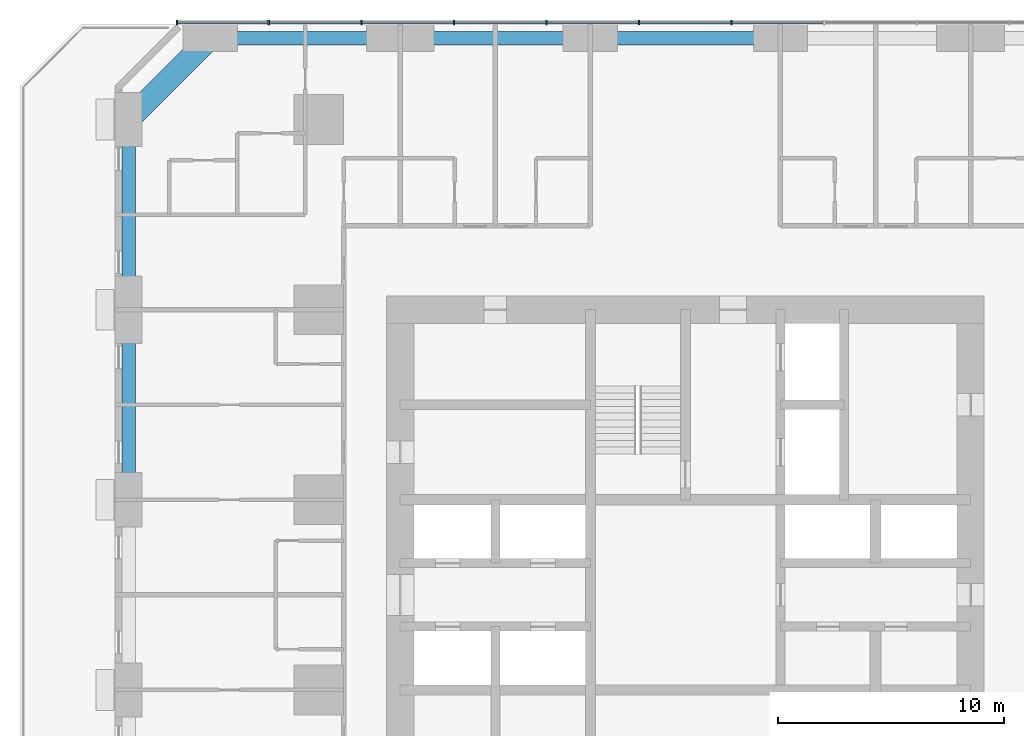
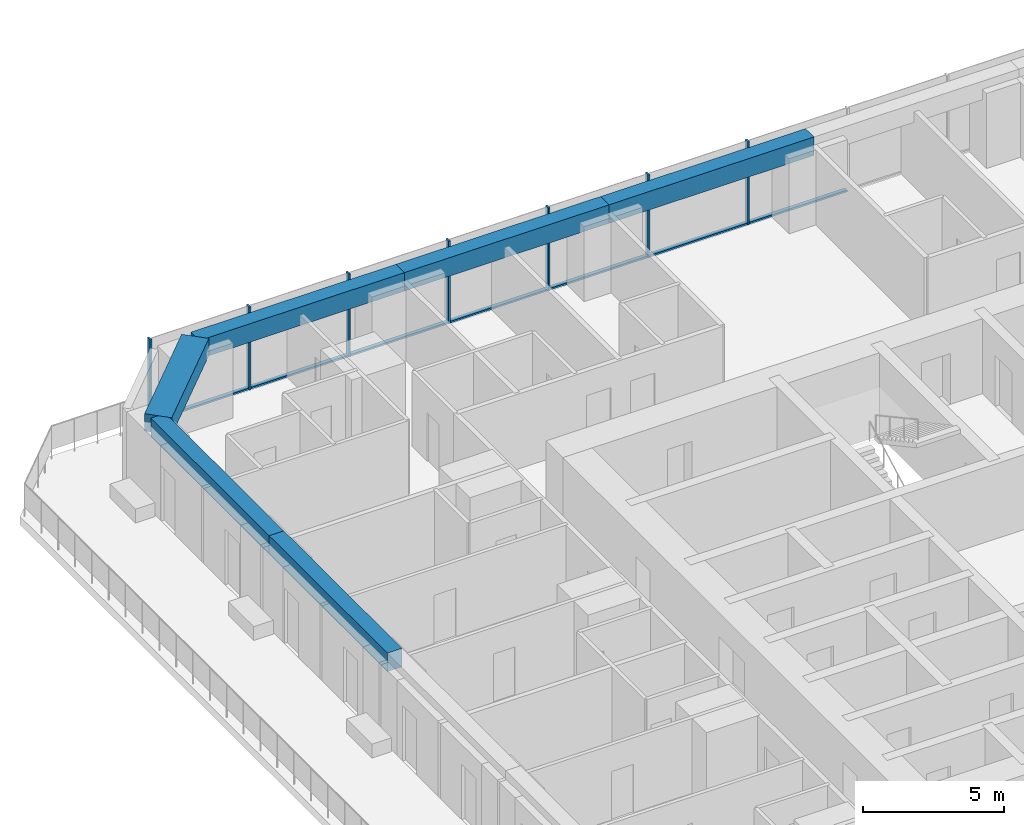
# One storey, part 3 of 14: 14 members, 6 beams, 1 element without a shape of its own.
"""IFC4 building model written with IfcOpenShell, lengths in metres."""

from ifc_helpers import new_model, si_unit, direction, frame, origin, origin_2d, place, context, subcontext, project, spatial, rectangle, extrude, material, material_profile, profile_set, type_object, element, aggregate, save


model = new_model("IFC4")

# Units and contexts
model_context = context("Model", 3, precision=1e-05, world=origin(), true_north=direction((0.0, 1.0)))
body_context = subcontext(model_context, "Body", "Model", "MODEL_VIEW")
ifc_project = project(units=[si_unit("LENGTHUNIT", "METRE"), si_unit("AREAUNIT", "SQUARE_METRE"), si_unit("VOLUMEUNIT", "CUBIC_METRE"), si_unit("PLANEANGLEUNIT", "RADIAN"), si_unit("MASSUNIT", "GRAM", prefix="KILO")], contexts=[model_context])

# Site, building, storey
site_placement = place(None, origin())
site = spatial("IfcSite", under=ifc_project, at=site_placement, CompositionType="ELEMENT")
building_placement = place(site_placement, origin())
building = spatial("IfcBuilding", under=site, at=building_placement, Name="Dunama Terrace Hotel", CompositionType="ELEMENT")
storey_placement = place(building_placement, frame((0.0, 0.0, 159.0)))
storey = spatial("IfcBuildingStorey", under=building, at=storey_placement, Name="L40", CompositionType="ELEMENT", Elevation=159.0)

# Curtain wall, members
ifc_material_1 = material(Name="Aluminium curtain wall system", Category="aluminium")
curtain_wall_type = type_object("IfcCurtainWallType", Name="Unitised fritted glass wall CW-C", PredefinedType="NOTDEFINED", material=ifc_material_1)
curtain_wall_placement = place(storey_placement, origin())
curtain_wall = element("IfcCurtainWall", 1, at=curtain_wall_placement, inside=storey, type_object=curtain_wall_type, Name="Unitised fritted glass wall CW-C L40", PredefinedType="NOTDEFINED")
ifc_material_2 = material(Name="Aluminium mullion", Category="aluminium")
ifc_material_profile_1 = material_profile(ifc_material_2, rectangle(XDim=0.070068359375, YDim=0.199951171875, at=origin_2d()), Name="CWC MULLION 70X200")
ifc_profile_set_1 = profile_set([ifc_material_profile_1], Name="Aluminium mullion")
member_type_1 = type_object("IfcMemberType", Name="CWC mullion 70x200", PredefinedType="MULLION", material=ifc_profile_set_1)
member_1_placement = place(storey_placement, frame((31.445068359375, 54.699951171875, 0.0), z_axis=(0.0, 0.0, 1.0), x_axis=(-1.0, 0.0, 0.0)))
member_1 = element("IfcMember", 2, at=member_1_placement, type_object=member_type_1, Name="CWC mullion", PredefinedType="MULLION", context=body_context, shape_type="SweptSolid", body=[
    extrude(rectangle(XDim=0.070068359375, YDim=0.199951171875, at=origin_2d()), origin(), (0.0, 0.0, 1.0), 3.60009765625),
])
member_2_placement = place(storey_placement, frame((27.35498046875, 54.699951171875, 0.0), z_axis=(0.0, 0.0, 1.0), x_axis=(-1.0, 0.0, 0.0)))
member_2 = element("IfcMember", 3, at=member_2_placement, type_object=member_type_1, Name="CWC mullion", PredefinedType="MULLION", context=body_context, shape_type="SweptSolid", body=[
    extrude(rectangle(XDim=0.070068359375, YDim=0.199951171875, at=origin_2d()), origin(), (0.0, 0.0, 1.0), 3.60009765625),
])
member_3_placement = place(storey_placement, frame((23.263916015625, 54.699951171875, 0.0), z_axis=(0.0, 0.0, 1.0), x_axis=(-1.0, 0.0, 0.0)))
member_3 = element("IfcMember", 4, at=member_3_placement, type_object=member_type_1, Name="CWC mullion", PredefinedType="MULLION", context=body_context, shape_type="SweptSolid", body=[
    extrude(rectangle(XDim=0.070068359375, YDim=0.199951171875, at=origin_2d()), origin(), (0.0, 0.0, 1.0), 3.60009765625),
])
member_4_placement = place(storey_placement, frame((19.173095703125, 54.699951171875, 0.0), z_axis=(0.0, 0.0, 1.0), x_axis=(-1.0, 0.0, 0.0)))
member_4 = element("IfcMember", 5, at=member_4_placement, type_object=member_type_1, Name="CWC mullion", PredefinedType="MULLION", context=body_context, shape_type="SweptSolid", body=[
    extrude(rectangle(XDim=0.070068359375, YDim=0.199951171875, at=origin_2d()), origin(), (0.0, 0.0, 1.0), 3.60009765625),
])
member_5_placement = place(storey_placement, frame((15.08203125, 54.699951171875, 0.0), z_axis=(0.0, 0.0, 1.0), x_axis=(-1.0, 0.0, 0.0)))
member_5 = element("IfcMember", 6, at=member_5_placement, type_object=member_type_1, Name="CWC mullion", PredefinedType="MULLION", context=body_context, shape_type="SweptSolid", body=[
    extrude(rectangle(XDim=0.070068359375, YDim=0.199951171875, at=origin_2d()), origin(), (0.0, 0.0, 1.0), 3.60009765625),
])
member_6_placement = place(storey_placement, frame((10.990966796875, 54.699951171875, 0.0), z_axis=(0.0, 0.0, 1.0), x_axis=(-1.0, 0.0, 0.0)))
member_6 = element("IfcMember", 7, at=member_6_placement, type_object=member_type_1, Name="CWC mullion", PredefinedType="MULLION", context=body_context, shape_type="SweptSolid", body=[
    extrude(rectangle(XDim=0.070068359375, YDim=0.199951171875, at=origin_2d()), origin(), (0.0, 0.0, 1.0), 3.60009765625),
])
member_7_placement = place(storey_placement, frame((6.93505859375, 54.699951171875, 0.0), z_axis=(0.0, 0.0, 1.0), x_axis=(-1.0, 0.0, 0.0)))
member_7 = element("IfcMember", 8, at=member_7_placement, type_object=member_type_1, Name="CWC mullion", PredefinedType="MULLION", context=body_context, shape_type="SweptSolid", body=[
    extrude(rectangle(XDim=0.070068359375, YDim=0.199951171875, at=origin_2d()), origin(), (0.0, 0.0, 1.0), 3.60009765625),
])
ifc_material_3 = material(Name="Aluminium transom", Category="aluminium")
ifc_material_profile_2 = material_profile(ifc_material_3, rectangle(XDim=0.159912109375, YDim=0.080078125, at=origin_2d()), Name="CWC TRANSOM 160X80")
ifc_profile_set_2 = profile_set([ifc_material_profile_2], Name="Aluminium transom")
member_type_2 = type_object("IfcMemberType", Name="CWC transom 160x80", PredefinedType="USERDEFINED", material=ifc_profile_set_2)
member_8_placement = place(storey_placement, frame((35.5009765625, 54.699951171875, 0.0400390625), z_axis=(-1.0, 0.0, 0.0), x_axis=(0.0, -1.0, 0.0)))
member_8 = element("IfcMember", 9, at=member_8_placement, type_object=member_type_2, Name="CWC transom", ObjectType="TRANSOM", PredefinedType="USERDEFINED", context=body_context, shape_type="SweptSolid", body=[
    extrude(rectangle(XDim=0.159912109375, YDim=0.080078125, at=origin_2d()), origin(), (0.0, 0.0, 1.0), 4.02099609375),
])
member_9_placement = place(storey_placement, frame((31.409912109375, 54.699951171875, 0.0400390625), z_axis=(-1.0, 0.0, 0.0), x_axis=(0.0, -1.0, 0.0)))
member_9 = element("IfcMember", 10, at=member_9_placement, type_object=member_type_2, Name="CWC transom", ObjectType="TRANSOM", PredefinedType="USERDEFINED", context=body_context, shape_type="SweptSolid", body=[
    extrude(rectangle(XDim=0.159912109375, YDim=0.080078125, at=origin_2d()), origin(), (0.0, 0.0, 1.0), 4.02001953125),
])
member_10_placement = place(storey_placement, frame((27.320068359375, 54.699951171875, 0.0400390625), z_axis=(-1.0, 0.0, 0.0), x_axis=(0.0, -1.0, 0.0)))
member_10 = element("IfcMember", 11, at=member_10_placement, type_object=member_type_2, Name="CWC transom", ObjectType="TRANSOM", PredefinedType="USERDEFINED", context=body_context, shape_type="SweptSolid", body=[
    extrude(rectangle(XDim=0.159912109375, YDim=0.080078125, at=origin_2d()), origin(), (0.0, 0.0, 1.0), 4.02099609375),
])
member_11_placement = place(storey_placement, frame((23.22900390625, 54.699951171875, 0.0400390625), z_axis=(-1.0, 0.0, 0.0), x_axis=(0.0, -1.0, 0.0)))
member_11 = element("IfcMember", 12, at=member_11_placement, type_object=member_type_2, Name="CWC transom", ObjectType="TRANSOM", PredefinedType="USERDEFINED", context=body_context, shape_type="SweptSolid", body=[
    extrude(rectangle(XDim=0.159912109375, YDim=0.080078125, at=origin_2d()), origin(), (0.0, 0.0, 1.0), 4.02099609375),
])
member_12_placement = place(storey_placement, frame((19.137939453125, 54.699951171875, 0.0400390625), z_axis=(-1.0, 0.0, 0.0), x_axis=(0.0, -1.0, 0.0)))
member_12 = element("IfcMember", 13, at=member_12_placement, type_object=member_type_2, Name="CWC transom", ObjectType="TRANSOM", PredefinedType="USERDEFINED", context=body_context, shape_type="SweptSolid", body=[
    extrude(rectangle(XDim=0.159912109375, YDim=0.080078125, at=origin_2d()), origin(), (0.0, 0.0, 1.0), 4.02099609375),
])
member_13_placement = place(storey_placement, frame((15.047119140625, 54.699951171875, 0.0400390625), z_axis=(-1.0, 0.0, 0.0), x_axis=(0.0, -1.0, 0.0)))
member_13 = element("IfcMember", 14, at=member_13_placement, type_object=member_type_2, Name="CWC transom", ObjectType="TRANSOM", PredefinedType="USERDEFINED", context=body_context, shape_type="SweptSolid", body=[
    extrude(rectangle(XDim=0.159912109375, YDim=0.080078125, at=origin_2d()), origin(), (0.0, 0.0, 1.0), 4.021240234375),
])
member_14_placement = place(storey_placement, frame((10.9560546875, 54.699951171875, 0.0400390625), z_axis=(-1.0, 0.0, 0.0), x_axis=(0.0, -1.0, 0.0)))
member_14 = element("IfcMember", 15, at=member_14_placement, type_object=member_type_2, Name="CWC transom", ObjectType="TRANSOM", PredefinedType="USERDEFINED", context=body_context, shape_type="SweptSolid", body=[
    extrude(rectangle(XDim=0.159912109375, YDim=0.080078125, at=origin_2d()), origin(), (0.0, 0.0, 1.0), 3.986083984375),
])
aggregate(curtain_wall, [member_1, member_2, member_3, member_4, member_5, member_6, member_7, member_8, member_9, member_10, member_11, member_12, member_13, member_14])

# Beams
ifc_material_4 = material(Name="Concrete C50/60", Category="concrete")
ifc_material_profile_3 = material_profile(ifc_material_4, rectangle(XDim=1.0, YDim=0.75, at=origin_2d()), Name="RC 1000x750")
ifc_profile_set_3 = profile_set([ifc_material_profile_3], Name="Concrete C50/60")
beam_type_1 = type_object("IfcBeamType", Name="Edge beam RC 1000x750", PredefinedType="SPANDREL", material=ifc_profile_set_3)
beam_1_placement = place(storey_placement, frame((8.39990234375, 54.0, 3.22509765625), z_axis=(-0.707082803744, -0.707130757816, 0.0), x_axis=(0.707130757816, -0.707082803744, 0.0)))
element("IfcBeam", 16, at=beam_1_placement, inside=storey, type_object=beam_type_1, Name="Corner edge beam under L41", PredefinedType="SPANDREL", context=body_context, shape_type="SweptSolid", body=[
    extrude(rectangle(XDim=1.0, YDim=0.75, at=origin_2d()), origin(), (0.0, 0.0, 1.0), 5.091064453125),
])
ifc_material_5 = material(Name="Concrete C40/50", Category="concrete")
ifc_material_profile_4 = material_profile(ifc_material_5, rectangle(XDim=0.60009765625, YDim=0.800048828125, at=origin_2d()), Name="RC 600x800")
ifc_profile_set_4 = profile_set([ifc_material_profile_4], Name="Concrete C40/50")
beam_type_2 = type_object("IfcBeamType", Name="Edge beam RC 600x800", PredefinedType="SPANDREL", material=ifc_profile_set_4)
for number, where, z_axis, x_axis, name in (
    (17, (4.800048828125, 33.60009765625, 3.199951171875), (0.0, 1.0, 0.0), (-1.0, 0.0, 0.0), "Edge beam under L41"),
    (18, (4.800048828125, 42.0, 3.199951171875), (0.0, 1.0, 0.0), (-1.0, 0.0, 0.0), "Edge beam under L41"),
):
    element("IfcBeam", number, at=place(storey_placement, frame(where, z_axis=z_axis, x_axis=x_axis)), inside=storey, type_object=beam_type_2, Name=name, PredefinedType="SPANDREL", context=body_context, shape_type="SweptSolid", body=[
        extrude(rectangle(XDim=0.60009765625, YDim=0.800048828125, at=origin_2d()), origin(), (0.0, 0.0, 1.0), 8.39990234375),
    ])
beam_2_placement = place(storey_placement, frame((8.39990234375, 54.0, 3.199951171875), z_axis=(1.0, 0.0, 0.0), x_axis=(0.0, 1.0, 0.0)))
element("IfcBeam", 19, at=beam_2_placement, inside=storey, type_object=beam_type_2, Name="Edge beam under L41", PredefinedType="SPANDREL", context=body_context, shape_type="SweptSolid", body=[
    extrude(rectangle(XDim=0.60009765625, YDim=0.800048828125, at=origin_2d()), origin(), (0.0, 0.0, 1.0), 8.400146484375),
])
beam_3_placement = place(storey_placement, frame((16.800048828125, 54.0, 3.199951171875), z_axis=(1.0, 0.0, 0.0), x_axis=(0.0, 1.0, 0.0)))
element("IfcBeam", 20, at=beam_3_placement, inside=storey, type_object=beam_type_2, Name="Edge beam under L41", PredefinedType="SPANDREL", context=body_context, shape_type="SweptSolid", body=[
    extrude(rectangle(XDim=0.60009765625, YDim=0.800048828125, at=origin_2d()), origin(), (0.0, 0.0, 1.0), 8.39990234375),
])
beam_4_placement = place(storey_placement, frame((25.199951171875, 54.0, 3.199951171875), z_axis=(1.0, 0.0, 0.0), x_axis=(0.0, 1.0, 0.0)))
element("IfcBeam", 21, at=beam_4_placement, inside=storey, type_object=beam_type_2, Name="Edge beam under L41", PredefinedType="SPANDREL", context=body_context, shape_type="SweptSolid", body=[
    extrude(rectangle(XDim=0.60009765625, YDim=0.800048828125, at=origin_2d()), origin(), (0.0, 0.0, 1.0), 8.400146484375),
])

save(model, "model.ifc")
